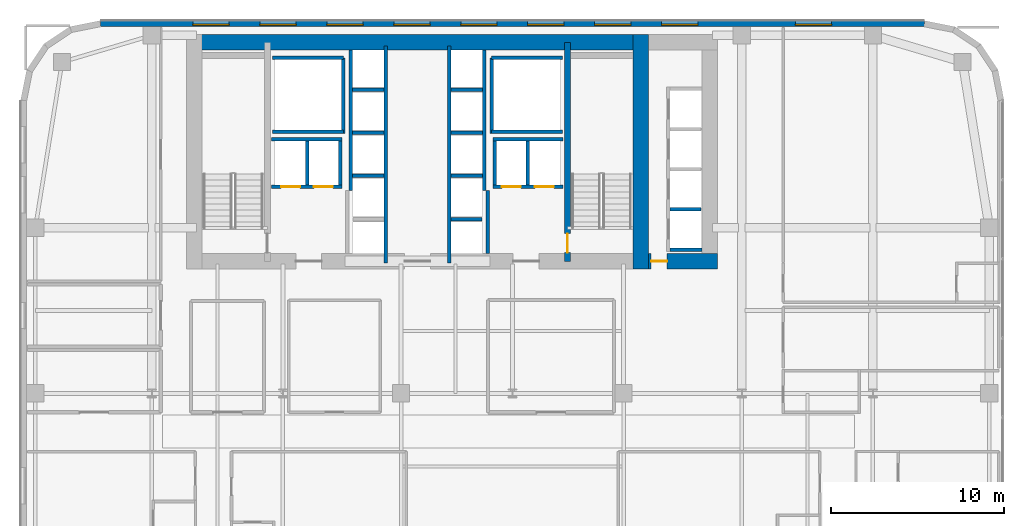
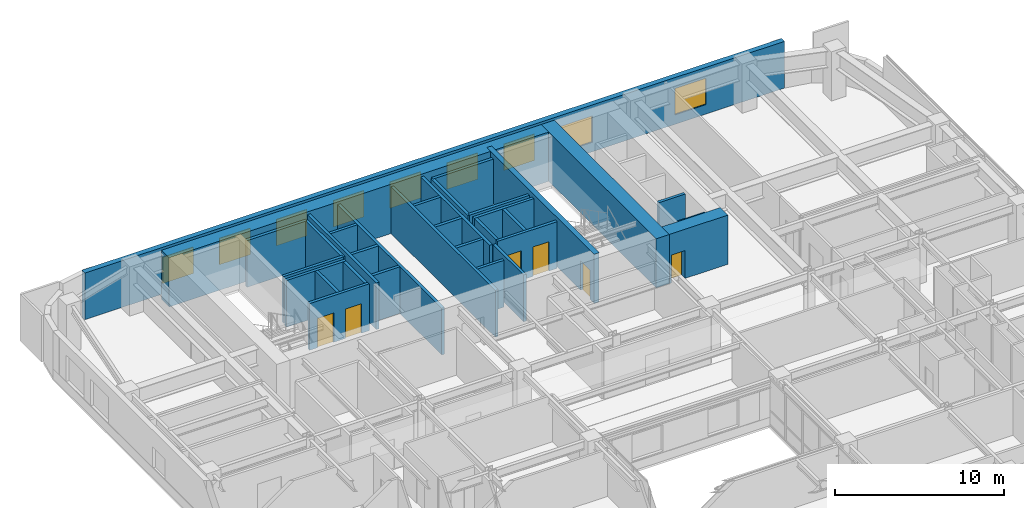
# One storey, part 25 of 31: 33 walls, 9 windows, 6 doors, 15 openings.
"""IFC4 building model written with IfcOpenShell, lengths in metres."""

import ifcopenshell
import ifcopenshell.guid

model = None  # the IFC model being written
_history = None  # IfcOwnerHistory: only IFC2X3 demands one
_inside = {}  # id of a spatial element -> (the spatial element, [elements in it])
_under = {}  # id of a project, library or spatial element -> (it, [spatial elements below it])
_declared = {}  # id of a project -> (the project, [libraries it declares])
_typed = {}  # id of a type object -> (the type object, [elements of that type])
_made_of = {}  # id of a material, layer set ... -> (it, [elements and type objects made of it])


def new_model(schema):
    """Start an empty IFC model of exactly this schema.

    Asked for "IFC4X3", IfcOpenShell would pick the latest addendum, in which some entities
    have other attributes; the version numbers below select the first issue.
    IFC2X3 requires an IfcOwnerHistory on every rooted entity: one is made here for all.
    """
    global model, _history
    if schema == "IFC4X3":
        model = ifcopenshell.file(schema_version=(4, 3, 0, 0))
    else:
        model = ifcopenshell.file(schema=schema)
    _inside.clear()
    _under.clear()
    _declared.clear()
    _typed.clear()
    _made_of.clear()
    _history = None
    if model.schema == "IFC2X3":
        org = make("IfcOrganization", Name="unknown")
        user = make(
            "IfcPersonAndOrganization",
            ThePerson=make("IfcPerson", FamilyName="unknown"),
            TheOrganization=org,
        )
        app = make(
            "IfcApplication",
            ApplicationDeveloper=org,
            Version="unknown",
            ApplicationFullName="unknown",
            ApplicationIdentifier="unknown",
        )
        _history = make(
            "IfcOwnerHistory",
            OwningUser=user,
            OwningApplication=app,
            ChangeAction="ADDED",
            CreationDate=0,
        )
    return model


def make(cls, **values):
    """One entity of the class cls with the attributes given. An attribute that is None is left unset."""
    return model.create_entity(
        cls, **{name: value for name, value in values.items() if value is not None}
    )


def rooted(cls, **values):
    """An entity with a GlobalId (a new one), such as an element, a storey or a relation."""
    return make(cls, GlobalId=ifcopenshell.guid.new(), OwnerHistory=_history, **values)


def si_unit(unit_type, name, prefix=None):
    """IfcSIUnit, for example si_unit("LENGTHUNIT", "METRE", prefix="MILLI")."""
    return make("IfcSIUnit", UnitType=unit_type, Prefix=prefix, Name=name)


def assignment(units):
    """IfcUnitAssignment: the units of a project."""
    return None if units is None else make("IfcUnitAssignment", Units=units)


def point(xyz):
    """IfcCartesianPoint."""
    return None if xyz is None else make("IfcCartesianPoint", Coordinates=xyz)


def direction(xyz):
    """IfcDirection."""
    return None if xyz is None else make("IfcDirection", DirectionRatios=xyz)


def frame(location, z_axis=None, x_axis=None):
    """IfcAxis2Placement3D, a coordinate frame: its origin and axes. An axis left out is left unset."""
    return make(
        "IfcAxis2Placement3D",
        Location=point(location),
        Axis=direction(z_axis),
        RefDirection=direction(x_axis),
    )


def frame_2d(location, x_axis=None):
    """IfcAxis2Placement2D, a coordinate frame in the plane: its origin and x axis."""
    return make(
        "IfcAxis2Placement2D", Location=point(location), RefDirection=direction(x_axis)
    )


def origin():
    """The frame at (0, 0, 0) with its axes left unset."""
    return frame((0.0, 0.0, 0.0))


def place(relative_to, where):
    """IfcLocalPlacement: puts the frame where relative to a parent placement (None: the world)."""
    return make(
        "IfcLocalPlacement", PlacementRelTo=relative_to, RelativePlacement=where
    )


def context(
    kind, dimensions, precision=None, world=None, true_north=None, identifier=None
):
    """IfcGeometricRepresentationContext, for example the 3D "Model" context."""
    return make(
        "IfcGeometricRepresentationContext",
        ContextIdentifier=identifier,
        ContextType=kind,
        CoordinateSpaceDimension=dimensions,
        Precision=precision,
        WorldCoordinateSystem=world,
        TrueNorth=true_north,
    )


def subcontext(parent, identifier, kind, view, scale=None):
    """IfcGeometricRepresentationSubContext, for example "Body" below "Model"."""
    return make(
        "IfcGeometricRepresentationSubContext",
        ContextIdentifier=identifier,
        ContextType=kind,
        ParentContext=parent,
        TargetScale=scale,
        TargetView=view,
    )


def project(units=None, contexts=None):
    """IfcProject with its units and contexts."""
    return rooted(
        "IfcProject",
        Name="project",
        RepresentationContexts=contexts,
        UnitsInContext=assignment(units),
    )


def spatial(cls, under=None, at=None, **own):
    """A site, building, storey or space (cls), placed at a placement, below another one or the project."""
    s = rooted(cls, ObjectPlacement=at, **own)
    if under is not None:
        _under.setdefault(under.id(), (under, []))[1].append(s)
    return s


def profile(cls, at=None, kind="AREA", **sizes):
    """A parametric profile (cls). Its sizes go by their IFC names, for example OverallWidth=200.0."""
    return make(cls, ProfileType=kind, Position=at, **sizes)


def rectangle(**sizes):
    """IfcRectangleProfileDef."""
    return profile("IfcRectangleProfileDef", **sizes)


def extrude(swept, where, along, depth):
    """IfcExtrudedAreaSolid: the profile swept, set in the frame where, extruded along a direction by depth."""
    return make(
        "IfcExtrudedAreaSolid",
        SweptArea=swept,
        Position=where,
        ExtrudedDirection=direction(along),
        Depth=depth,
    )


def shape(context_of_items, identifier, shape_type, items):
    """IfcShapeRepresentation: the items that make up one representation, for example the "Body"."""
    return make(
        "IfcShapeRepresentation",
        ContextOfItems=context_of_items,
        RepresentationIdentifier=identifier,
        RepresentationType=shape_type,
        Items=items,
    )


def source(mapping_origin, context_of_items, identifier, shape_type, items):
    """IfcRepresentationMap: a shape defined once, which mapped items show again and again."""
    return make(
        "IfcRepresentationMap",
        MappingOrigin=mapping_origin,
        MappedRepresentation=shape(context_of_items, identifier, shape_type, items),
    )


def transform(
    local_origin,
    x_axis=None,
    y_axis=None,
    z_axis=None,
    scale=None,
    scale2=None,
    scale3=None,
    uniform=True,
):
    """IfcCartesianTransformationOperator3D, or its non-uniform kind. x_axis, y_axis, z_axis: its Axis1, 2, 3."""
    if uniform:
        return make(
            "IfcCartesianTransformationOperator3D",
            Axis1=direction(x_axis),
            Axis2=direction(y_axis),
            LocalOrigin=point(local_origin),
            Scale=scale,
            Axis3=direction(z_axis),
        )
    return make(
        "IfcCartesianTransformationOperator3DnonUniform",
        Axis1=direction(x_axis),
        Axis2=direction(y_axis),
        LocalOrigin=point(local_origin),
        Scale=scale,
        Axis3=direction(z_axis),
        Scale2=scale2,
        Scale3=scale3,
    )


def mapped(mapping_source, mapping_target):
    """IfcMappedItem: shows the shape of a source again, moved by a transform."""
    return make(
        "IfcMappedItem", MappingSource=mapping_source, MappingTarget=mapping_target
    )


def material(Name=None, Category=None):
    """IfcMaterial."""
    return make("IfcMaterial", Name=Name, Category=Category)


def layer(
    of_material, thickness, ventilated=None, Name=None, Category=None, Priority=None
):
    """IfcMaterialLayer: one layer of a wall or slab, of a material (None: an air gap)."""
    return make(
        "IfcMaterialLayer",
        Material=of_material,
        LayerThickness=thickness,
        IsVentilated=ventilated,
        Name=Name,
        Category=Category,
        Priority=Priority,
    )


def layer_set(layers, Name=None):
    """IfcMaterialLayerSet."""
    return make("IfcMaterialLayerSet", MaterialLayers=layers, LayerSetName=Name)


def made_of(thing, what):
    """Note that an element or type object is made of a material, layer set ...; save() writes the relation."""
    if what is not None:
        _made_of.setdefault(what.id(), (what, []))[1].append(thing)
    return thing


def type_object(cls, material=None, **own):
    """A type object (cls), such as IfcWallType, which elements share."""
    return made_of(rooted(cls, **own), material)


def type_shapes(of_type, sources):
    """Give a type object the sources (RepresentationMaps) that its elements show as mapped items."""
    of_type.RepresentationMaps = sources


def element(
    cls,
    number,
    at=None,
    inside=None,
    cuts=None,
    type_object=None,
    material=None,
    context=None,
    identifier="Body",
    shape_type=None,
    held_by="IfcProductDefinitionShape",
    body=None,
    shapes=None,
    **own,
):
    """One element of the class cls, such as IfcWall. Its Tag is "e" and its number.

    at: its placement. inside: the storey or other place that contains it. cuts: it is an
    opening in that element (IfcRelVoidsElement). A single representation is given by context,
    identifier, shape_type and body (its items); several are given by shapes. held_by: the class
    of the entity that holds the representations. save() writes the other relations.
    """
    e = rooted(cls, Tag="e%d" % number, ObjectPlacement=at, **own)
    if body is not None:
        shapes = [shape(context, identifier, shape_type, body)]
    if shapes is not None:
        e.Representation = make(held_by, Representations=shapes)
    if inside is not None:
        _inside.setdefault(inside.id(), (inside, []))[1].append(e)
    if cuts is not None:
        rooted(
            "IfcRelVoidsElement", RelatingBuildingElement=cuts, RelatedOpeningElement=e
        )
    if type_object is not None:
        _typed.setdefault(type_object.id(), (type_object, []))[1].append(e)
    return made_of(e, material)


def fill(opening, filler):
    """IfcRelFillsElement: the door or window that sits in an opening."""
    return rooted(
        "IfcRelFillsElement",
        RelatingOpeningElement=opening,
        RelatedBuildingElement=filler,
    )


def aggregate(whole, parts):
    """IfcRelAggregates: a whole, such as a stair, and the parts it consists of."""
    return rooted("IfcRelAggregates", RelatingObject=whole, RelatedObjects=parts)


def save(model, path):
    """Write the relations noted so far, then the file.

    IfcRelAggregates (storeys below a building ...), IfcRelContainedInSpatialStructure (elements
    in a storey), IfcRelDefinesByType, IfcRelAssociatesMaterial and IfcRelDeclares: one each for
    every whole, place, type object, material and project.
    """
    for whole, parts in _under.values():
        aggregate(whole, parts)
    for where, things in _inside.values():
        rooted(
            "IfcRelContainedInSpatialStructure",
            RelatedElements=things,
            RelatingStructure=where,
        )
    for kind, things in _typed.values():
        rooted("IfcRelDefinesByType", RelatedObjects=things, RelatingType=kind)
    for what, things in _made_of.values():
        rooted("IfcRelAssociatesMaterial", RelatedObjects=things, RelatingMaterial=what)
    for by, libraries in _declared.values():
        rooted("IfcRelDeclares", RelatingContext=by, RelatedDefinitions=libraries)
    model.write(path)


model = new_model("IFC4")

# Units and contexts
model_context = context("Model", 3, precision=1e-05, world=origin(), true_north=direction((0.0, 1.0)))
body_context = subcontext(model_context, "Body", "Model", "MODEL_VIEW")
ifc_project = project(units=[si_unit("LENGTHUNIT", "METRE"), si_unit("AREAUNIT", "SQUARE_METRE"), si_unit("VOLUMEUNIT", "CUBIC_METRE"), si_unit("PLANEANGLEUNIT", "RADIAN"), si_unit("MASSUNIT", "GRAM", prefix="KILO")], contexts=[model_context])

# Site, building, storey
site_placement = place(None, origin())
site = spatial("IfcSite", under=ifc_project, at=site_placement, CompositionType="ELEMENT")
building_placement = place(site_placement, origin())
building = spatial("IfcBuilding", under=site, at=building_placement, Name="Tolvann Quenvar Hotel", CompositionType="ELEMENT")
storey_placement = place(building_placement, frame((0.0, 0.0, 74.60009765625)))
storey = spatial("IfcBuildingStorey", under=building, at=storey_placement, Name="L18", CompositionType="ELEMENT", Elevation=74.60009765625)

# Walls
ifc_material_1 = material(Name="Concrete S80 (80 MPa)", Category="concrete")
ifc_layer_1 = layer(ifc_material_1, 0.89990234375)
ifc_layer_set_1 = layer_set([ifc_layer_1], Name="Concrete S80 (80 MPa)")
wall_type_1 = type_object("IfcWallType", Name="WALL_CORE_900", PredefinedType="SHEAR", material=ifc_layer_set_1)
wall_1_placement = place(storey_placement, frame((9.60009765625, 44.75, 0.0), z_axis=(0.0, 0.0, 1.0), x_axis=(1.0, 0.0, 0.0)))
element("IfcWall", 1, at=wall_1_placement, inside=storey, type_object=wall_type_1, Name="Rear Core N Shear Wall (L18)", PredefinedType="SHEAR", context=body_context, shape_type="SweptSolid", body=[
    extrude(rectangle(XDim=26.7998046875, YDim=0.89990234375, at=frame_2d((13.39990234375, 0.0))), origin(), (0.0, 0.0, 1.0), 3.5498046875),
])
wall_2_placement = place(storey_placement, frame((35.949951171875, 31.60009765625, 0.0), z_axis=(0.0, 0.0, 1.0), x_axis=(0.0, 1.0, 0.0)))
element("IfcWall", 2, at=wall_2_placement, inside=storey, type_object=wall_type_1, Name="Rear Core E Shear Wall (L18)", PredefinedType="SHEAR", context=body_context, shape_type="SweptSolid", body=[
    extrude(rectangle(XDim=13.599853515625, YDim=0.89990234375, at=frame_2d((6.7998046875, 0.0))), origin(), (0.0, 0.0, 1.0), 3.5498046875),
])

# Wall, opening, door
wall_3_placement = place(storey_placement, frame((36.39990234375, 32.050048828125, 0.0), z_axis=(0.0, 0.0, 1.0), x_axis=(1.0, 0.0, 0.0)))
wall_3 = element("IfcWall", 3, at=wall_3_placement, inside=storey, type_object=wall_type_1, Name="Core East Annex Shear Wall ANN-S (L18)", PredefinedType="SHEAR", context=body_context, shape_type="SweptSolid", body=[
    extrude(rectangle(XDim=4.0, YDim=0.89990234375, at=frame_2d((2.0, 0.0))), origin(), (0.0, 0.0, 1.0), 3.5498046875),
])
opening_1_placement = place(wall_3_placement, frame((1.06982421875, 0.0, 0.0), z_axis=(0.0, 0.0, 1.0), x_axis=(-1.0, 0.0, 0.0)))
opening_1 = element("IfcOpeningElement", 4, at=opening_1_placement, cuts=wall_3, Name="Opening WD-01", PredefinedType="OPENING", context=body_context, shape_type="SweptSolid", body=[
    extrude(rectangle(XDim=0.919921875, YDim=2.010009765625, at=frame_2d((0.4599609375, 1.0048828125))), frame((0.0, 0.4599609375, 0.0), z_axis=(0.0, -1.0, 0.0), x_axis=(1.0, 0.0, 0.0)), (0.0, 0.0, 1.0), 0.919921875),
])
ifc_material_2 = material(Name="Solid-core American oak acoustic fire door leaf in steel frame", Category="steel")
door_type_1 = type_object("IfcDoorType", Name="DOOR_WC_920", OperationType="NOTDEFINED", PredefinedType="DOOR", material=ifc_material_2)
shared_shape_1 = source(origin(), body_context, "Body", "SweptSolid", [
    extrude(rectangle(XDim=0.919921875, YDim=2.010009765625, at=frame_2d((0.4599609375, 1.0048828125))), frame((0.0, 0.02490234375, 0.0), z_axis=(0.0, -1.0, 0.0), x_axis=(1.0, 0.0, 0.0)), (0.0, 0.0, 1.0), 0.050048828125),
])
type_shapes(door_type_1, [shared_shape_1])
door_1_placement = place(opening_1_placement, origin())
door_1 = element("IfcDoor", 5, at=door_1_placement, inside=storey, type_object=door_type_1, Name="Low-Rise Lift Lobby Fire Door (L18)", OperationType="SINGLE_SWING_RIGHT", OverallHeight=2.010009765625, OverallWidth=0.919921875, PredefinedType="DOOR", context=body_context, shape_type="MappedRepresentation", body=[
    mapped(shared_shape_1, transform((0.0, 0.0, 0.0), x_axis=(1.0, 0.0, 0.0), y_axis=(0.0, 1.0, 0.0), z_axis=(0.0, 0.0, 1.0), scale=1.0)),
])
fill(opening_1, door_1)

ifc_material_3 = material(Name="Concrete S65 (65 MPa)", Category="concrete")
ifc_layer_2 = layer(ifc_material_3, 0.35009765625)
ifc_layer_set_2 = layer_set([ifc_layer_2], Name="Concrete S65 (65 MPa)")
wall_type_2 = type_object("IfcWallType", Name="WALL_CORE_INT_350", PredefinedType="SHEAR", material=ifc_layer_set_2)
wall_4_placement = place(storey_placement, frame((31.699951171875, 32.050048828125, 0.0), z_axis=(0.0, 0.0, 1.0), x_axis=(0.0, 1.0, 0.0)))
wall_4 = element("IfcWall", 6, at=wall_4_placement, inside=storey, type_object=wall_type_2, Name="Core Internal Web Shear Wall WEB-E (L18)", PredefinedType="SHEAR", context=body_context, shape_type="SweptSolid", body=[
    extrude(rectangle(XDim=12.699951171875, YDim=0.35009765625, at=frame_2d((6.35009765625, 0.0))), origin(), (0.0, 0.0, 1.0), 3.5498046875),
])
opening_2_placement = place(wall_4_placement, frame((1.60009765625, 0.0, 0.0), z_axis=(0.0, 0.0, 1.0), x_axis=(-1.0, 0.0, 0.0)))
opening_2 = element("IfcOpeningElement", 7, at=opening_2_placement, cuts=wall_4, Name="Opening FD-120", PredefinedType="OPENING", context=body_context, shape_type="SweptSolid", body=[
    extrude(rectangle(XDim=1.10009765625, YDim=2.1201171875, at=frame_2d((0.550048828125, 1.06005859375))), frame((0.0, 0.18505859375, 0.0), z_axis=(0.0, -1.0, 0.0), x_axis=(1.0, 0.0, 0.0)), (0.0, 0.0, 1.0), 0.3701171875),
])
ifc_material_4 = material(Name="Pressed galvanised steel fire-rated door set", Category="steel")
door_type_2 = type_object("IfcDoorType", Name="DOOR_FIRE_STAIR_1100", OperationType="NOTDEFINED", PredefinedType="DOOR", material=ifc_material_4)
shared_shape_2 = source(origin(), body_context, "Body", "SweptSolid", [
    extrude(rectangle(XDim=1.10009765625, YDim=2.1201171875, at=frame_2d((0.550048828125, 1.06005859375))), frame((0.0, 0.02490234375, 0.0), z_axis=(0.0, -1.0, 0.0), x_axis=(1.0, 0.0, 0.0)), (0.0, 0.0, 1.0), 0.050048828125),
])
type_shapes(door_type_2, [shared_shape_2])
door_2_placement = place(opening_2_placement, origin())
door_2 = element("IfcDoor", 8, at=door_2_placement, inside=storey, type_object=door_type_2, Name="Exit Stair ST-C2 Fire Door (L18)", OperationType="SINGLE_SWING_RIGHT", OverallHeight=2.1201171875, OverallWidth=1.10009765625, PredefinedType="DOOR", context=body_context, shape_type="MappedRepresentation", body=[
    mapped(shared_shape_2, transform((0.0, 0.0, 0.0), x_axis=(1.0, 0.0, 0.0), y_axis=(0.0, 1.0, 0.0), z_axis=(0.0, 0.0, 1.0), scale=1.0)),
])
fill(opening_2, door_2)

# Wall, openings, windows
ifc_material_5 = material(Name="Kiln-fired red and buff architectural clay brickwork and terracotta masonry", Category="masonry")
ifc_layer_3 = layer(ifc_material_5, 0.35009765625)
ifc_layer_set_3 = layer_set([ifc_layer_3], Name="Kiln-fired red and buff architectural clay brickwork and terracotta masonry")
wall_type_3 = type_object("IfcWallType", Name="WALL_EXT_BRICK_350", PredefinedType="SOLIDWALL", material=ifc_layer_set_3)
wall_5_placement = place(storey_placement, frame((52.3828125, 45.824951171875, 0.0), z_axis=(0.0, 0.0, 1.0), x_axis=(-1.0, 0.0, 0.0)))
wall_5 = element("IfcWall", 9, at=wall_5_placement, inside=storey, type_object=wall_type_3, Name="Exterior Chicago Brick Wall L18-E18", PredefinedType="SOLIDWALL", context=body_context, shape_type="SweptSolid", body=[
    extrude(rectangle(XDim=47.765625, YDim=0.35009765625, at=frame_2d((23.8828125, 0.0))), origin(), (0.0, 0.0, 1.0), 3.369873046875),
])
opening_3_placement = place(wall_5_placement, frame((5.37109375, 0.0, 0.679931640625)))
opening_3 = element("IfcOpeningElement", 10, at=opening_3_placement, cuts=wall_5, Name="Opening W-02", PredefinedType="OPENING", context=body_context, shape_type="SweptSolid", body=[
    extrude(rectangle(XDim=2.10009765625, YDim=1.89990234375, at=frame_2d((1.050048828125, 0.949951171875))), frame((0.0, 0.18505859375, 0.0), z_axis=(0.0, -1.0, 0.0), x_axis=(1.0, 0.0, 0.0)), (0.0, 0.0, 1.0), 0.3701171875),
])
opening_4_placement = place(wall_5_placement, frame((13.132080078125, 0.0, 0.679931640625)))
opening_4 = element("IfcOpeningElement", 11, at=opening_4_placement, cuts=wall_5, Name="Opening W-02", PredefinedType="OPENING", context=body_context, shape_type="SweptSolid", body=[
    extrude(rectangle(XDim=2.10009765625, YDim=1.89990234375, at=frame_2d((1.050048828125, 0.949951171875))), frame((0.0, 0.18505859375, 0.0), z_axis=(0.0, -1.0, 0.0), x_axis=(1.0, 0.0, 0.0)), (0.0, 0.0, 1.0), 0.3701171875),
])
opening_5_placement = place(wall_5_placement, frame((17.011962890625, 0.0, 0.679931640625)))
opening_5 = element("IfcOpeningElement", 12, at=opening_5_placement, cuts=wall_5, Name="Opening W-02", PredefinedType="OPENING", context=body_context, shape_type="SweptSolid", body=[
    extrude(rectangle(XDim=2.10009765625, YDim=1.89990234375, at=frame_2d((1.050048828125, 0.949951171875))), frame((0.0, 0.18505859375, 0.0), z_axis=(0.0, -1.0, 0.0), x_axis=(1.0, 0.0, 0.0)), (0.0, 0.0, 1.0), 0.3701171875),
])
opening_6_placement = place(wall_5_placement, frame((20.89306640625, 0.0, 0.679931640625)))
opening_6 = element("IfcOpeningElement", 13, at=opening_6_placement, cuts=wall_5, Name="Opening W-02", PredefinedType="OPENING", context=body_context, shape_type="SweptSolid", body=[
    extrude(rectangle(XDim=2.10009765625, YDim=1.89990234375, at=frame_2d((1.050048828125, 0.949951171875))), frame((0.0, 0.18505859375, 0.0), z_axis=(0.0, -1.0, 0.0), x_axis=(1.0, 0.0, 0.0)), (0.0, 0.0, 1.0), 0.3701171875),
])
opening_7_placement = place(wall_5_placement, frame((24.77294921875, 0.0, 0.679931640625)))
opening_7 = element("IfcOpeningElement", 14, at=opening_7_placement, cuts=wall_5, Name="Opening W-02", PredefinedType="OPENING", context=body_context, shape_type="SweptSolid", body=[
    extrude(rectangle(XDim=2.10009765625, YDim=1.89990234375, at=frame_2d((1.050048828125, 0.949951171875))), frame((0.0, 0.18505859375, 0.0), z_axis=(0.0, -1.0, 0.0), x_axis=(1.0, 0.0, 0.0)), (0.0, 0.0, 1.0), 0.3701171875),
])
opening_8_placement = place(wall_5_placement, frame((28.654052734375, 0.0, 0.679931640625)))
opening_8 = element("IfcOpeningElement", 15, at=opening_8_placement, cuts=wall_5, Name="Opening W-02", PredefinedType="OPENING", context=body_context, shape_type="SweptSolid", body=[
    extrude(rectangle(XDim=2.10009765625, YDim=1.89990234375, at=frame_2d((1.050048828125, 0.949951171875))), frame((0.0, 0.18505859375, 0.0), z_axis=(0.0, -1.0, 0.0), x_axis=(1.0, 0.0, 0.0)), (0.0, 0.0, 1.0), 0.3701171875),
])
opening_9_placement = place(wall_5_placement, frame((32.533935546875, 0.0, 0.679931640625)))
opening_9 = element("IfcOpeningElement", 16, at=opening_9_placement, cuts=wall_5, Name="Opening W-02", PredefinedType="OPENING", context=body_context, shape_type="SweptSolid", body=[
    extrude(rectangle(XDim=2.10009765625, YDim=1.89990234375, at=frame_2d((1.050048828125, 0.949951171875))), frame((0.0, 0.18505859375, 0.0), z_axis=(0.0, -1.0, 0.0), x_axis=(1.0, 0.0, 0.0)), (0.0, 0.0, 1.0), 0.3701171875),
])
opening_10_placement = place(wall_5_placement, frame((36.4140625, 0.0, 0.679931640625)))
opening_10 = element("IfcOpeningElement", 17, at=opening_10_placement, cuts=wall_5, Name="Opening W-02", PredefinedType="OPENING", context=body_context, shape_type="SweptSolid", body=[
    extrude(rectangle(XDim=2.10009765625, YDim=1.89990234375, at=frame_2d((1.050048828125, 0.949951171875))), frame((0.0, 0.18505859375, 0.0), z_axis=(0.0, -1.0, 0.0), x_axis=(1.0, 0.0, 0.0)), (0.0, 0.0, 1.0), 0.3701171875),
])
opening_11_placement = place(wall_5_placement, frame((40.294921875, 0.0, 0.679931640625)))
opening_11 = element("IfcOpeningElement", 18, at=opening_11_placement, cuts=wall_5, Name="Opening W-02", PredefinedType="OPENING", context=body_context, shape_type="SweptSolid", body=[
    extrude(rectangle(XDim=2.10009765625, YDim=1.89990234375, at=frame_2d((1.050048828125, 0.949951171875))), frame((0.0, 0.18505859375, 0.0), z_axis=(0.0, -1.0, 0.0), x_axis=(1.0, 0.0, 0.0)), (0.0, 0.0, 1.0), 0.3701171875),
])
ifc_material_6 = material(Name="Thermally broken bronze-anodised aluminium frame with double low-E glazing", Category="aluminium")
window_type = type_object("IfcWindowType", Name="WIN_CHI_2100x2050", PartitioningType="TRIPLE_PANEL_HORIZONTAL", PredefinedType="WINDOW", material=ifc_material_6)
shared_shape_3 = source(origin(), body_context, "Body", "SweptSolid", [
    extrude(rectangle(XDim=2.10009765625, YDim=1.89990234375, at=frame_2d((1.050048828125, 0.949951171875))), frame((0.0, 0.090087890625, 0.0), z_axis=(0.0, -1.0, 0.0), x_axis=(1.0, 0.0, 0.0)), (0.0, 0.0, 1.0), 0.06005859375),
])
type_shapes(window_type, [shared_shape_3])
window_1_placement = place(opening_3_placement, origin())
window_1 = element("IfcWindow", 19, at=window_1_placement, inside=storey, type_object=window_type, Name="Chicago Window W-02 (EW-L18-E18-W01)", OverallHeight=1.89990234375, OverallWidth=2.10009765625, PartitioningType="TRIPLE_PANEL_HORIZONTAL", PredefinedType="WINDOW", context=body_context, shape_type="MappedRepresentation", body=[
    mapped(shared_shape_3, transform((0.0, 0.0, 0.0), x_axis=(1.0, 0.0, 0.0), y_axis=(0.0, 1.0, 0.0), z_axis=(0.0, 0.0, 1.0), scale=1.0)),
])
fill(opening_3, window_1)
window_2_placement = place(opening_4_placement, origin())
window_2 = element("IfcWindow", 20, at=window_2_placement, inside=storey, type_object=window_type, Name="Chicago Window W-02 (EW-L18-E18-W02)", OverallHeight=1.89990234375, OverallWidth=2.10009765625, PartitioningType="TRIPLE_PANEL_HORIZONTAL", PredefinedType="WINDOW", context=body_context, shape_type="MappedRepresentation", body=[
    mapped(shared_shape_3, transform((0.0, 0.0, 0.0), x_axis=(1.0, 0.0, 0.0), y_axis=(0.0, 1.0, 0.0), z_axis=(0.0, 0.0, 1.0), scale=1.0)),
])
fill(opening_4, window_2)
window_3_placement = place(opening_5_placement, origin())
window_3 = element("IfcWindow", 21, at=window_3_placement, inside=storey, type_object=window_type, Name="Chicago Window W-02 (EW-L18-E18-W03)", OverallHeight=1.89990234375, OverallWidth=2.10009765625, PartitioningType="TRIPLE_PANEL_HORIZONTAL", PredefinedType="WINDOW", context=body_context, shape_type="MappedRepresentation", body=[
    mapped(shared_shape_3, transform((0.0, 0.0, 0.0), x_axis=(1.0, 0.0, 0.0), y_axis=(0.0, 1.0, 0.0), z_axis=(0.0, 0.0, 1.0), scale=1.0)),
])
fill(opening_5, window_3)
window_4_placement = place(opening_6_placement, origin())
window_4 = element("IfcWindow", 22, at=window_4_placement, inside=storey, type_object=window_type, Name="Chicago Window W-02 (EW-L18-E18-W04)", OverallHeight=1.89990234375, OverallWidth=2.10009765625, PartitioningType="TRIPLE_PANEL_HORIZONTAL", PredefinedType="WINDOW", context=body_context, shape_type="MappedRepresentation", body=[
    mapped(shared_shape_3, transform((0.0, 0.0, 0.0), x_axis=(1.0, 0.0, 0.0), y_axis=(0.0, 1.0, 0.0), z_axis=(0.0, 0.0, 1.0), scale=1.0)),
])
fill(opening_6, window_4)
window_5_placement = place(opening_7_placement, origin())
window_5 = element("IfcWindow", 23, at=window_5_placement, inside=storey, type_object=window_type, Name="Chicago Window W-02 (EW-L18-E18-W05)", OverallHeight=1.89990234375, OverallWidth=2.10009765625, PartitioningType="TRIPLE_PANEL_HORIZONTAL", PredefinedType="WINDOW", context=body_context, shape_type="MappedRepresentation", body=[
    mapped(shared_shape_3, transform((0.0, 0.0, 0.0), x_axis=(1.0, 0.0, 0.0), y_axis=(0.0, 1.0, 0.0), z_axis=(0.0, 0.0, 1.0), scale=1.0)),
])
fill(opening_7, window_5)
window_6_placement = place(opening_8_placement, origin())
window_6 = element("IfcWindow", 24, at=window_6_placement, inside=storey, type_object=window_type, Name="Chicago Window W-02 (EW-L18-E18-W06)", OverallHeight=1.89990234375, OverallWidth=2.10009765625, PartitioningType="TRIPLE_PANEL_HORIZONTAL", PredefinedType="WINDOW", context=body_context, shape_type="MappedRepresentation", body=[
    mapped(shared_shape_3, transform((0.0, 0.0, 0.0), x_axis=(1.0, 0.0, 0.0), y_axis=(0.0, 1.0, 0.0), z_axis=(0.0, 0.0, 1.0), scale=1.0)),
])
fill(opening_8, window_6)
window_7_placement = place(opening_9_placement, origin())
window_7 = element("IfcWindow", 25, at=window_7_placement, inside=storey, type_object=window_type, Name="Chicago Window W-02 (EW-L18-E18-W07)", OverallHeight=1.89990234375, OverallWidth=2.10009765625, PartitioningType="TRIPLE_PANEL_HORIZONTAL", PredefinedType="WINDOW", context=body_context, shape_type="MappedRepresentation", body=[
    mapped(shared_shape_3, transform((0.0, 0.0, 0.0), x_axis=(1.0, 0.0, 0.0), y_axis=(0.0, 1.0, 0.0), z_axis=(0.0, 0.0, 1.0), scale=1.0)),
])
fill(opening_9, window_7)
window_8_placement = place(opening_10_placement, origin())
window_8 = element("IfcWindow", 26, at=window_8_placement, inside=storey, type_object=window_type, Name="Chicago Window W-02 (EW-L18-E18-W08)", OverallHeight=1.89990234375, OverallWidth=2.10009765625, PartitioningType="TRIPLE_PANEL_HORIZONTAL", PredefinedType="WINDOW", context=body_context, shape_type="MappedRepresentation", body=[
    mapped(shared_shape_3, transform((0.0, 0.0, 0.0), x_axis=(1.0, 0.0, 0.0), y_axis=(0.0, 1.0, 0.0), z_axis=(0.0, 0.0, 1.0), scale=1.0)),
])
fill(opening_10, window_8)
window_9_placement = place(opening_11_placement, origin())
window_9 = element("IfcWindow", 27, at=window_9_placement, inside=storey, type_object=window_type, Name="Chicago Window W-02 (EW-L18-E18-W09)", OverallHeight=1.89990234375, OverallWidth=2.10009765625, PartitioningType="TRIPLE_PANEL_HORIZONTAL", PredefinedType="WINDOW", context=body_context, shape_type="MappedRepresentation", body=[
    mapped(shared_shape_3, transform((0.0, 0.0, 0.0), x_axis=(1.0, 0.0, 0.0), y_axis=(0.0, 1.0, 0.0), z_axis=(0.0, 0.0, 1.0), scale=1.0)),
])
fill(opening_11, window_9)

# Walls
ifc_material_7 = material(Name="Concrete N40 (40 MPa)", Category="concrete")
ifc_layer_4 = layer(ifc_material_7, 0.199951171875)
ifc_layer_set_4 = layer_set([ifc_layer_4], Name="Concrete N40 (40 MPa)")
wall_type_4 = type_object("IfcWallType", Name="WALL_SHAFT_200", PredefinedType="SOLIDWALL", material=ifc_layer_set_4)
wall_6_placement = place(storey_placement, frame((18.699951171875, 39.449951171875, 0.0), z_axis=(0.0, 0.0, 1.0), x_axis=(0.0, 1.0, 0.0)))
element("IfcWall", 28, at=wall_6_placement, inside=storey, type_object=wall_type_4, Name="Service Riser W Shaft Wall IN (L18)", PredefinedType="SOLIDWALL", context=body_context, shape_type="SweptSolid", body=[
    extrude(rectangle(XDim=4.400146484375, YDim=0.199951171875, at=frame_2d((2.2001953125, 0.0))), origin(), (0.0, 0.0, 1.0), 3.369873046875),
])
for number, where, z_axis, x_axis, name in (
    (29, (14.60009765625, 39.550048828125, 0.0), (0.0, 0.0, 1.0), (1.0, 0.0, 0.0), "Service Riser W Shaft Wall S (L18)"),
    (30, (14.60009765625, 43.85009765625, 0.0), (0.0, 0.0, 1.0), (1.0, 0.0, 0.0), "Service Riser W Shaft Wall N (L18)"),
):
    element("IfcWall", number, at=place(storey_placement, frame(where, z_axis=z_axis, x_axis=x_axis)), inside=storey, type_object=wall_type_4, Name=name, PredefinedType="SOLIDWALL", context=body_context, shape_type="SweptSolid", body=[
        extrude(rectangle(XDim=4.099853515625, YDim=0.199951171875, at=frame_2d((2.0498046875, 0.0))), origin(), (0.0, 0.0, 1.0), 3.369873046875),
    ])
wall_7_placement = place(storey_placement, frame((27.300048828125, 39.449951171875, 0.0), z_axis=(0.0, 0.0, 1.0), x_axis=(0.0, 1.0, 0.0)))
element("IfcWall", 31, at=wall_7_placement, inside=storey, type_object=wall_type_4, Name="Service Riser E Shaft Wall IN (L18)", PredefinedType="SOLIDWALL", context=body_context, shape_type="SweptSolid", body=[
    extrude(rectangle(XDim=4.400146484375, YDim=0.199951171875, at=frame_2d((2.2001953125, 0.0))), origin(), (0.0, 0.0, 1.0), 3.369873046875),
])
for number, where, z_axis, x_axis, name in (
    (32, (27.300048828125, 39.550048828125, 0.0), (0.0, 0.0, 1.0), (1.0, 0.0, 0.0), "Service Riser E Shaft Wall S (L18)"),
    (33, (27.300048828125, 43.85009765625, 0.0), (0.0, 0.0, 1.0), (1.0, 0.0, 0.0), "Service Riser E Shaft Wall N (L18)"),
):
    element("IfcWall", number, at=place(storey_placement, frame(where, z_axis=z_axis, x_axis=x_axis)), inside=storey, type_object=wall_type_4, Name=name, PredefinedType="SOLIDWALL", context=body_context, shape_type="SweptSolid", body=[
        extrude(rectangle(XDim=4.099853515625, YDim=0.199951171875, at=frame_2d((2.0498046875, 0.0))), origin(), (0.0, 0.0, 1.0), 3.369873046875),
    ])
wall_8_placement = place(storey_placement, frame((27.080078125, 32.50390625, 0.0), z_axis=(0.0, 0.0, 1.0), x_axis=(0.0, 1.0, 0.0)))
element("IfcWall", 34, at=wall_8_placement, inside=storey, type_object=wall_type_4, Name="Firefighting Lobby E Inner Fire Wall (L18)", PredefinedType="SOLIDWALL", context=body_context, shape_type="SweptSolid", body=[
    extrude(rectangle(XDim=3.64599609375, YDim=0.199951171875, at=frame_2d((1.822998046875, 0.0))), origin(), (0.0, 0.0, 1.0), 3.369873046875),
])
wall_9_placement = place(storey_placement, frame((21.169921875, 31.9599609375, 0.0), z_axis=(0.0, 0.0, 1.0), x_axis=(0.0, 1.0, 0.0)))
element("IfcWall", 35, at=wall_9_placement, inside=storey, type_object=wall_type_4, Name="Lift Bank E21.1C1 Hoistway Front Wall (L18)", PredefinedType="SOLIDWALL", context=body_context, shape_type="SweptSolid", body=[
    extrude(rectangle(XDim=12.580078125, YDim=0.199951171875, at=frame_2d((6.2900390625, 0.0))), origin(), (0.0, 0.0, 1.0), 3.369873046875),
])
wall_10_placement = place(storey_placement, frame((19.1298828125, 36.159912109375, 0.0), z_axis=(0.0, 0.0, 1.0), x_axis=(0.0, 1.0, 0.0)))
element("IfcWall", 36, at=wall_10_placement, inside=storey, type_object=wall_type_4, Name="Lift Bank E21.1C1 Hoistway Rear Wall (L18)", PredefinedType="SOLIDWALL", context=body_context, shape_type="SweptSolid", body=[
    extrude(rectangle(XDim=8.135986328125, YDim=0.199951171875, at=frame_2d((4.06787109375, 0.0))), origin(), (0.0, 0.0, 1.0), 3.369873046875),
])
for number, where, z_axis, x_axis, name in (
    (37, (19.22998046875, 37.0, 0.0), (0.0, 0.0, 1.0), (1.0, 0.0, 0.0), "Lift Bank E21.1C1 Divider Wall 2 (L18)"),
    (38, (19.22998046875, 39.5, 0.0), (0.0, 0.0, 1.0), (1.0, 0.0, 0.0), "Lift Bank E21.1C1 Divider Wall 3 (L18)"),
    (39, (19.22998046875, 42.0, 0.0), (0.0, 0.0, 1.0), (1.0, 0.0, 0.0), "Lift Bank E21.1C1 Divider Wall 4 (L18)"),
):
    element("IfcWall", number, at=place(storey_placement, frame(where, z_axis=z_axis, x_axis=x_axis)), inside=storey, type_object=wall_type_4, Name=name, PredefinedType="SOLIDWALL", context=body_context, shape_type="SweptSolid", body=[
        extrude(rectangle(XDim=1.840087890625, YDim=0.199951171875, at=frame_2d((0.919921875, 0.0))), origin(), (0.0, 0.0, 1.0), 3.369873046875),
    ])

# Wall, openings, doors
wall_11_placement = place(storey_placement, frame((27.375, 36.3798828125, 0.0), z_axis=(0.0, 0.0, 1.0), x_axis=(1.0, 0.0, 0.0)))
wall_11 = element("IfcWall", 40, at=wall_11_placement, inside=storey, type_object=wall_type_4, Name="Lift Bank SEC1 Hoistway Front Wall (L18)", PredefinedType="SOLIDWALL", context=body_context, shape_type="SweptSolid", body=[
    extrude(rectangle(XDim=4.074951171875, YDim=0.199951171875, at=frame_2d((2.03759765625, 0.0))), origin(), (0.0, 0.0, 1.0), 3.369873046875),
])
opening_12_placement = place(wall_11_placement, frame((0.52490234375, 0.0, 0.0)))
opening_12 = element("IfcOpeningElement", 41, at=opening_12_placement, cuts=wall_11, Name="Opening LD-01", PredefinedType="OPENING", context=body_context, shape_type="SweptSolid", body=[
    extrude(rectangle(XDim=1.10009765625, YDim=2.1201171875, at=frame_2d((0.550048828125, 1.06005859375))), frame((0.0, 0.10986328125, 0.0), z_axis=(0.0, -1.0, 0.0), x_axis=(1.0, 0.0, 0.0)), (0.0, 0.0, 1.0), 0.219970703125),
])
opening_13_placement = place(wall_11_placement, frame((2.425048828125, 0.0, 0.0)))
opening_13 = element("IfcOpeningElement", 42, at=opening_13_placement, cuts=wall_11, Name="Opening LD-01", PredefinedType="OPENING", context=body_context, shape_type="SweptSolid", body=[
    extrude(rectangle(XDim=1.10009765625, YDim=2.1201171875, at=frame_2d((0.550048828125, 1.06005859375))), frame((0.0, 0.10986328125, 0.0), z_axis=(0.0, -1.0, 0.0), x_axis=(1.0, 0.0, 0.0)), (0.0, 0.0, 1.0), 0.219970703125),
])
ifc_material_8 = material(Name="Brushed 316 stainless steel automatic sliding lift landing door", Category="steel")
door_type_3 = type_object("IfcDoorType", Name="DOOR_LIFT_SLIDE_1100", OperationType="NOTDEFINED", PredefinedType="DOOR", material=ifc_material_8)
shared_shape_4 = source(origin(), body_context, "Body", "SweptSolid", [
    extrude(rectangle(XDim=1.10009765625, YDim=2.1201171875, at=frame_2d((0.550048828125, 1.06005859375))), frame((0.0, 0.02490234375, 0.0), z_axis=(0.0, -1.0, 0.0), x_axis=(1.0, 0.0, 0.0)), (0.0, 0.0, 1.0), 0.050048828125),
])
type_shapes(door_type_3, [shared_shape_4])
door_3_placement = place(opening_12_placement, origin())
door_3 = element("IfcDoor", 43, at=door_3_placement, inside=storey, type_object=door_type_3, Name="Lift SV-2 Sliding Landing Door (L18)", OperationType="SLIDING_TO_LEFT", OverallHeight=2.1201171875, OverallWidth=1.10009765625, PredefinedType="DOOR", context=body_context, shape_type="MappedRepresentation", body=[
    mapped(shared_shape_4, transform((0.0, 0.0, 0.0), x_axis=(1.0, 0.0, 0.0), y_axis=(0.0, 1.0, 0.0), z_axis=(0.0, 0.0, 1.0), scale=1.0)),
])
fill(opening_12, door_3)
door_4_placement = place(opening_13_placement, origin())
door_4 = element("IfcDoor", 44, at=door_4_placement, inside=storey, type_object=door_type_3, Name="Lift FF-2 Sliding Landing Door (L18)", OperationType="SLIDING_TO_RIGHT", OverallHeight=2.1201171875, OverallWidth=1.10009765625, PredefinedType="DOOR", context=body_context, shape_type="MappedRepresentation", body=[
    mapped(shared_shape_4, transform((0.0, 0.0, 0.0), x_axis=(1.0, 0.0, 0.0), y_axis=(0.0, 1.0, 0.0), z_axis=(0.0, 0.0, 1.0), scale=1.0)),
])
fill(opening_13, door_4)

# Walls
wall_12_placement = place(storey_placement, frame((27.375, 39.1201171875, 0.0), z_axis=(0.0, 0.0, 1.0), x_axis=(1.0, 0.0, 0.0)))
element("IfcWall", 45, at=wall_12_placement, inside=storey, type_object=wall_type_4, Name="Lift Bank SEC1 Hoistway Rear Wall (L18)", PredefinedType="SOLIDWALL", context=body_context, shape_type="SweptSolid", body=[
    extrude(rectangle(XDim=4.074951171875, YDim=0.199951171875, at=frame_2d((2.03759765625, 0.0))), origin(), (0.0, 0.0, 1.0), 3.369873046875),
])
for number, where, z_axis, x_axis, name in (
    (46, (27.47509765625, 36.47998046875, 0.0), (0.0, 0.0, 1.0), (0.0, 1.0, 0.0), "Lift Bank SEC1 Hoistway Cheek Wall 1 (L18)"),
    (47, (29.387451171875, 36.47998046875, 0.0), (0.0, 0.0, 1.0), (0.0, 1.0, 0.0), "Lift Bank SEC1 Divider Wall 1 (L18)"),
):
    element("IfcWall", number, at=place(storey_placement, frame(where, z_axis=z_axis, x_axis=x_axis)), inside=storey, type_object=wall_type_4, Name=name, PredefinedType="SOLIDWALL", context=body_context, shape_type="SweptSolid", body=[
        extrude(rectangle(XDim=2.5400390625, YDim=0.199951171875, at=frame_2d((1.27001953125, 0.0))), origin(), (0.0, 0.0, 1.0), 3.369873046875),
    ])

# Wall, openings, doors
wall_13_placement = place(storey_placement, frame((14.550048828125, 36.3798828125, 0.0), z_axis=(0.0, 0.0, 1.0), x_axis=(1.0, 0.0, 0.0)))
wall_13 = element("IfcWall", 48, at=wall_13_placement, inside=storey, type_object=wall_type_4, Name="Lift Bank SWC1 Hoistway Front Wall (L18)", PredefinedType="SOLIDWALL", context=body_context, shape_type="SweptSolid", body=[
    extrude(rectangle(XDim=4.074951171875, YDim=0.199951171875, at=frame_2d((2.03759765625, 0.0))), origin(), (0.0, 0.0, 1.0), 3.369873046875),
])
opening_14_placement = place(wall_13_placement, frame((0.550048828125, 0.0, 0.0)))
opening_14 = element("IfcOpeningElement", 49, at=opening_14_placement, cuts=wall_13, Name="Opening LD-01", PredefinedType="OPENING", context=body_context, shape_type="SweptSolid", body=[
    extrude(rectangle(XDim=1.10009765625, YDim=2.1201171875, at=frame_2d((0.550048828125, 1.06005859375))), frame((0.0, 0.10986328125, 0.0), z_axis=(0.0, -1.0, 0.0), x_axis=(1.0, 0.0, 0.0)), (0.0, 0.0, 1.0), 0.219970703125),
])
opening_15_placement = place(wall_13_placement, frame((2.449951171875, 0.0, 0.0)))
opening_15 = element("IfcOpeningElement", 50, at=opening_15_placement, cuts=wall_13, Name="Opening LD-01", PredefinedType="OPENING", context=body_context, shape_type="SweptSolid", body=[
    extrude(rectangle(XDim=1.10009765625, YDim=2.1201171875, at=frame_2d((0.550048828125, 1.06005859375))), frame((0.0, 0.10986328125, 0.0), z_axis=(0.0, -1.0, 0.0), x_axis=(1.0, 0.0, 0.0)), (0.0, 0.0, 1.0), 0.219970703125),
])
door_5_placement = place(opening_14_placement, origin())
door_5 = element("IfcDoor", 51, at=door_5_placement, inside=storey, type_object=door_type_3, Name="Lift FF-1 Sliding Landing Door (L18)", OperationType="SLIDING_TO_LEFT", OverallHeight=2.1201171875, OverallWidth=1.10009765625, PredefinedType="DOOR", context=body_context, shape_type="MappedRepresentation", body=[
    mapped(shared_shape_4, transform((0.0, 0.0, 0.0), x_axis=(1.0, 0.0, 0.0), y_axis=(0.0, 1.0, 0.0), z_axis=(0.0, 0.0, 1.0), scale=1.0)),
])
fill(opening_14, door_5)
door_6_placement = place(opening_15_placement, origin())
door_6 = element("IfcDoor", 52, at=door_6_placement, inside=storey, type_object=door_type_3, Name="Lift SV-1 Sliding Landing Door (L18)", OperationType="SLIDING_TO_RIGHT", OverallHeight=2.1201171875, OverallWidth=1.10009765625, PredefinedType="DOOR", context=body_context, shape_type="MappedRepresentation", body=[
    mapped(shared_shape_4, transform((0.0, 0.0, 0.0), x_axis=(1.0, 0.0, 0.0), y_axis=(0.0, 1.0, 0.0), z_axis=(0.0, 0.0, 1.0), scale=1.0)),
])
fill(opening_15, door_6)

# Walls
wall_14_placement = place(storey_placement, frame((14.550048828125, 39.1201171875, 0.0), z_axis=(0.0, 0.0, 1.0), x_axis=(1.0, 0.0, 0.0)))
element("IfcWall", 53, at=wall_14_placement, inside=storey, type_object=wall_type_4, Name="Lift Bank SWC1 Hoistway Rear Wall (L18)", PredefinedType="SOLIDWALL", context=body_context, shape_type="SweptSolid", body=[
    extrude(rectangle(XDim=4.074951171875, YDim=0.199951171875, at=frame_2d((2.03759765625, 0.0))), origin(), (0.0, 0.0, 1.0), 3.369873046875),
])
for number, where, z_axis, x_axis, name in (
    (54, (18.52490234375, 36.47998046875, 0.0), (0.0, 0.0, 1.0), (0.0, 1.0, 0.0), "Lift Bank SWC1 Hoistway Cheek Wall 2 (L18)"),
    (55, (16.612548828125, 36.47998046875, 0.0), (0.0, 0.0, 1.0), (0.0, 1.0, 0.0), "Lift Bank SWC1 Divider Wall 1 (L18)"),
):
    element("IfcWall", number, at=place(storey_placement, frame(where, z_axis=z_axis, x_axis=x_axis)), inside=storey, type_object=wall_type_4, Name=name, PredefinedType="SOLIDWALL", context=body_context, shape_type="SweptSolid", body=[
        extrude(rectangle(XDim=2.5400390625, YDim=0.199951171875, at=frame_2d((1.27001953125, 0.0))), origin(), (0.0, 0.0, 1.0), 3.369873046875),
    ])
wall_15_placement = place(storey_placement, frame((24.830078125, 31.9599609375, 0.0), z_axis=(0.0, 0.0, 1.0), x_axis=(0.0, 1.0, 0.0)))
element("IfcWall", 56, at=wall_15_placement, inside=storey, type_object=wall_type_4, Name="Lift Bank W24.9C1 Hoistway Front Wall (L18)", PredefinedType="SOLIDWALL", context=body_context, shape_type="SweptSolid", body=[
    extrude(rectangle(XDim=12.580078125, YDim=0.199951171875, at=frame_2d((6.2900390625, 0.0))), origin(), (0.0, 0.0, 1.0), 3.369873046875),
])
wall_16_placement = place(storey_placement, frame((26.8701171875, 36.159912109375, 0.0), z_axis=(0.0, 0.0, 1.0), x_axis=(0.0, 1.0, 0.0)))
element("IfcWall", 57, at=wall_16_placement, inside=storey, type_object=wall_type_4, Name="Lift Bank W24.9C1 Hoistway Rear Wall (L18)", PredefinedType="SOLIDWALL", context=body_context, shape_type="SweptSolid", body=[
    extrude(rectangle(XDim=8.135986328125, YDim=0.199951171875, at=frame_2d((4.06787109375, 0.0))), origin(), (0.0, 0.0, 1.0), 3.369873046875),
])
wall_17_placement = place(storey_placement, frame((24.929931640625, 34.5, 0.0), z_axis=(0.0, 0.0, 1.0), x_axis=(1.0, 0.0, 0.0)))
element("IfcWall", 58, at=wall_17_placement, inside=storey, type_object=wall_type_4, Name="Lift Bank W24.9C1 Divider Wall 1 (L18)", PredefinedType="SOLIDWALL", context=body_context, shape_type="SweptSolid", body=[
    extrude(rectangle(XDim=1.800048828125, YDim=0.199951171875, at=frame_2d((0.89990234375, 0.0))), origin(), (0.0, 0.0, 1.0), 3.369873046875),
])
for number, where, z_axis, x_axis, name in (
    (59, (24.929931640625, 37.0, 0.0), (0.0, 0.0, 1.0), (1.0, 0.0, 0.0), "Lift Bank W24.9C1 Divider Wall 2 (L18)"),
    (60, (24.929931640625, 39.5, 0.0), (0.0, 0.0, 1.0), (1.0, 0.0, 0.0), "Lift Bank W24.9C1 Divider Wall 3 (L18)"),
    (61, (24.929931640625, 42.0, 0.0), (0.0, 0.0, 1.0), (1.0, 0.0, 0.0), "Lift Bank W24.9C1 Divider Wall 4 (L18)"),
):
    element("IfcWall", number, at=place(storey_placement, frame(where, z_axis=z_axis, x_axis=x_axis)), inside=storey, type_object=wall_type_4, Name=name, PredefinedType="SOLIDWALL", context=body_context, shape_type="SweptSolid", body=[
        extrude(rectangle(XDim=1.840087890625, YDim=0.199951171875, at=frame_2d((0.919921875, 0.0))), origin(), (0.0, 0.0, 1.0), 3.369873046875),
    ])
wall_18_placement = place(storey_placement, frame((37.6298828125, 32.7099609375, 0.0), z_axis=(0.0, 0.0, 1.0), x_axis=(1.0, 0.0, 0.0)))
element("IfcWall", 62, at=wall_18_placement, inside=storey, type_object=wall_type_4, Name="Lift Bank W37.6C1 Hoistway Cheek Wall 1 (L18)", PredefinedType="SOLIDWALL", context=body_context, shape_type="SweptSolid", body=[
    extrude(rectangle(XDim=1.8701171875, YDim=0.199951171875, at=frame_2d((0.93505859375, 0.0))), origin(), (0.0, 0.0, 1.0), 3.369873046875),
])
wall_19_placement = place(storey_placement, frame((37.6298828125, 35.06005859375, 0.0), z_axis=(0.0, 0.0, 1.0), x_axis=(1.0, 0.0, 0.0)))
element("IfcWall", 63, at=wall_19_placement, inside=storey, type_object=wall_type_4, Name="Lift Bank W37.6C1 Divider Wall 1 (L18)", PredefinedType="SOLIDWALL", context=body_context, shape_type="SweptSolid", body=[
    extrude(rectangle(XDim=1.800048828125, YDim=0.199951171875, at=frame_2d((0.89990234375, 0.0))), origin(), (0.0, 0.0, 1.0), 3.369873046875),
])

save(model, "model.ifc")
